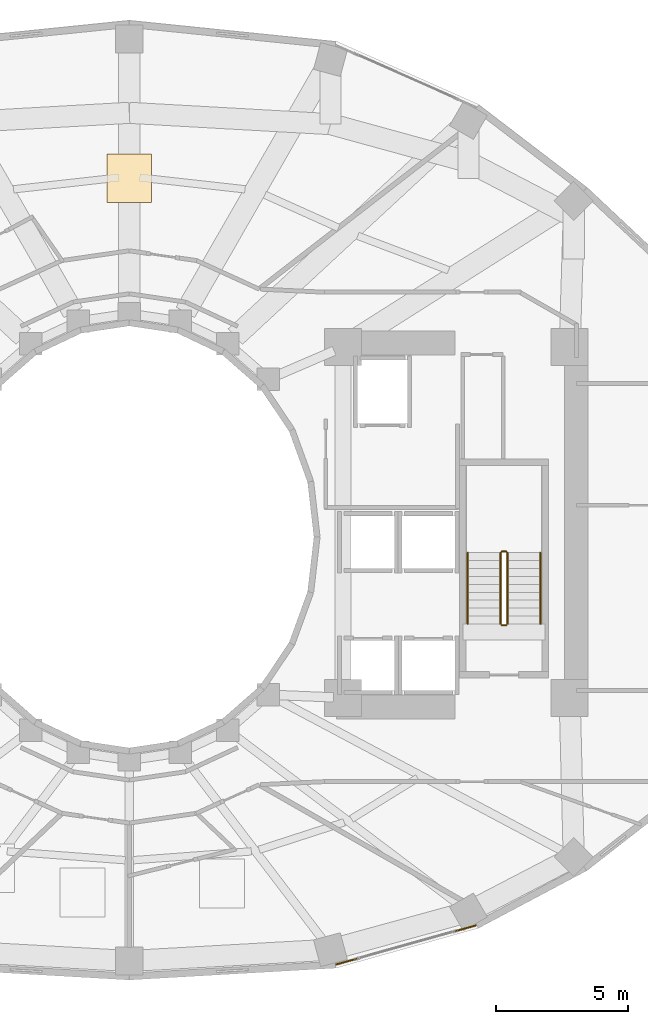
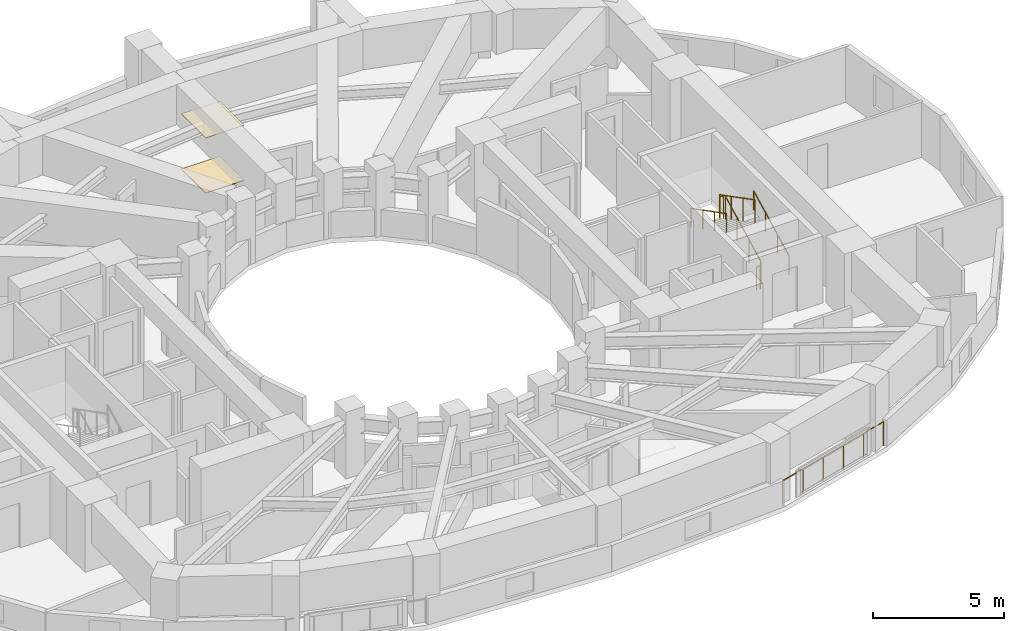
# One storey, part 15 of 16: 7 railings, 2 coverings.
"""IFC4 building model written with IfcOpenShell, lengths in metres."""

from ifc_helpers import new_model, si_unit, direction, frame, origin, origin_2d, place, context, subcontext, project, spatial, polyline, circle, outline, extrude, material, layer, layer_set, type_object, element, save


model = new_model("IFC4")

# Units and contexts
model_context = context("Model", 3, precision=1e-05, world=origin(), true_north=direction((0.0, 1.0)))
body_context = subcontext(model_context, "Body", "Model", "MODEL_VIEW")
ifc_project = project(units=[si_unit("LENGTHUNIT", "METRE"), si_unit("AREAUNIT", "SQUARE_METRE"), si_unit("VOLUMEUNIT", "CUBIC_METRE"), si_unit("PLANEANGLEUNIT", "RADIAN"), si_unit("MASSUNIT", "GRAM", prefix="KILO")], contexts=[model_context])

# Site, building, storey
site_placement = place(None, origin())
site = spatial("IfcSite", under=ifc_project, at=site_placement, CompositionType="ELEMENT")
building_placement = place(site_placement, origin())
building = spatial("IfcBuilding", under=site, at=building_placement, Name="Solvane Sanctuary Tower", CompositionType="ELEMENT")
storey_placement = place(building_placement, frame((0.0, 0.0, 82.5)))
storey = spatial("IfcBuildingStorey", under=building, at=storey_placement, Name="L24", CompositionType="ELEMENT", Elevation=82.5)

# Coverings
ifc_material_1 = material(Name="Acoustic Gypsum Partition Board")
ifc_layer_1 = layer(ifc_material_1, 0.02490234375, Name="Acoustic Gypsum Partition Board")
ifc_layer_set_1 = layer_set([ifc_layer_1], Name="Acoustic Gypsum Partition Board")
covering_type_1 = type_object("IfcCoveringType", Name="Covering CLG-ACOUST", PredefinedType="CEILING", material=ifc_layer_set_1)
covering_1_placement = place(storey_placement, frame((0.0, 0.0, 2.570068359375)))
element("IfcCovering", 1, at=covering_1_placement, inside=storey, type_object=covering_type_1, Name="L24 Unit Acoustic Ceiling Panel 1", PredefinedType="CEILING", context=body_context, shape_type="SweptSolid", body=[
    extrude(outline(polyline([(31.14990234375, 35.675048828125), (32.85009765625, 35.675048828125), (32.85009765625, 37.52490234375), (31.14990234375, 37.52490234375), (31.14990234375, 35.675048828125)])), origin(), (0.0, 0.0, 1.0), 0.030029296875),
])
ifc_material_2 = material(Name="Ceramic Tile Finish")
ifc_layer_2 = layer(ifc_material_2, 0.030029296875, Name="Ceramic Tile Finish")
ifc_layer_set_2 = layer_set([ifc_layer_2], Name="Ceramic Tile Finish")
covering_type_2 = type_object("IfcCoveringType", Name="Covering FLR-TERRAZZO", PredefinedType="FLOORING", material=ifc_layer_set_2)
covering_2_placement = place(storey_placement, origin())
element("IfcCovering", 2, at=covering_2_placement, inside=storey, type_object=covering_type_2, Name="L24 Unit Terrazzo Inlay 1", PredefinedType="FLOORING", context=body_context, shape_type="SweptSolid", body=[
    extrude(outline(polyline([(31.14990234375, 35.675048828125), (32.85009765625, 35.675048828125), (32.85009765625, 37.52490234375), (31.14990234375, 37.52490234375), (31.14990234375, 35.675048828125)])), origin(), (0.0, 0.0, 1.0), 0.034912109375),
])

# Railings
ifc_material_3 = material(Name="Architectural Stainless Steel 316", Category="steel")
railing_type_1 = type_object("IfcRailingType", Name="Railing GR-BALC-1150", PredefinedType="BALUSTRADE", material=ifc_material_3)
railing_1_placement = place(storey_placement, frame((39.84521484375, 6.78662109375, 0.0)))
element("IfcRailing", 3, at=railing_1_placement, inside=storey, type_object=railing_type_1, Name="L24 Curtain-Wall Perimeter Sill Guard 19", PredefinedType="BALUSTRADE", context=body_context, shape_type="SweptSolid", body=[
    extrude(circle(Radius=0.02392578125, at=origin_2d()), frame((0.0, 0.0, 1.1259765625), z_axis=(0.96295710783, 0.269654609601, 0.0), x_axis=(-0.269654609601, 0.96295710783, 0.0)), (0.0, 0.0, 1.0), 5.5029296875),
    extrude(circle(Radius=0.02099609375, at=origin_2d()), origin(), (0.0, 0.0, 1.0), 1.101806640625),
    extrude(circle(Radius=0.02099609375, at=origin_2d()), frame((1.059814453125, 0.296875, 0.0)), (0.0, 0.0, 1.0), 1.101806640625),
    extrude(circle(Radius=0.02099609375, at=origin_2d()), frame((2.11962890625, 0.593505859375, 0.0)), (0.0, 0.0, 1.0), 1.101806640625),
    extrude(circle(Radius=0.02099609375, at=origin_2d()), frame((3.179443359375, 0.890380859375, 0.0)), (0.0, 0.0, 1.0), 1.101806640625),
    extrude(circle(Radius=0.02099609375, at=origin_2d()), frame((4.2392578125, 1.18701171875, 0.0)), (0.0, 0.0, 1.0), 1.101806640625),
    extrude(circle(Radius=0.02099609375, at=origin_2d()), frame((5.299072265625, 1.48388671875, 0.0)), (0.0, 0.0, 1.0), 1.101806640625),
])
railing_2_placement = place(storey_placement, frame((46.340087890625, 19.699951171875, 0.155029296875)))
element("IfcRailing", 4, at=railing_2_placement, inside=storey, type_object=railing_type_1, Name="L24 ST-2 stair guard 1", PredefinedType="BALUSTRADE", context=body_context, shape_type="SweptSolid", body=[
    extrude(circle(Radius=0.02392578125, at=origin_2d()), frame((0.0, 0.0, 1.076171875), z_axis=(0.0, 0.888419900624, 0.459031676658), x_axis=(-1.0, 0.0, 0.0)), (0.0, 0.0, 1.0), 3.0390625),
    extrude(circle(Radius=0.02099609375, at=origin_2d()), origin(), (0.0, 0.0, 1.0), 1.052001953125),
    extrude(circle(Radius=0.02099609375, at=origin_2d()), frame((0.0, 0.89990234375, 0.465087890625)), (0.0, 0.0, 1.0), 1.052001953125),
    extrude(circle(Radius=0.02099609375, at=origin_2d()), frame((0.0, 1.800048828125, 0.929931640625)), (0.0, 0.0, 1.0), 1.052001953125),
    extrude(circle(Radius=0.02099609375, at=origin_2d()), frame((0.0, 2.699951171875, 1.39501953125)), (0.0, 0.0, 1.0), 1.052001953125),
])
railing_3_placement = place(storey_placement, frame((46.2900390625, 22.449951171875, 1.550048828125)))
element("IfcRailing", 5, at=railing_3_placement, inside=storey, type_object=railing_type_1, Name="L24 ST-2 stair guard 2", PredefinedType="BALUSTRADE", context=body_context, shape_type="SweptSolid", body=[
    extrude(circle(Radius=0.02392578125, at=origin_2d()), frame((0.0, 0.0, 1.076171875), z_axis=(-1.0, 0.0, 0.0), x_axis=(0.0, -1.0, 0.0)), (0.0, 0.0, 1.0), 0.16015625),
    extrude(circle(Radius=0.02099609375, at=origin_2d()), origin(), (0.0, 0.0, 1.0), 1.052001953125),
    extrude(circle(Radius=0.02099609375, at=origin_2d()), frame((-0.16015625, 0.0, 0.0)), (0.0, 0.0, 1.0), 1.052001953125),
])
railing_4_placement = place(storey_placement, frame((46.080078125, 22.39990234375, 1.705078125)))
element("IfcRailing", 6, at=railing_4_placement, inside=storey, type_object=railing_type_1, Name="L24 ST-2 stair guard 3", PredefinedType="BALUSTRADE", context=body_context, shape_type="SweptSolid", body=[
    extrude(circle(Radius=0.02392578125, at=origin_2d()), frame((0.0, 0.0, 1.076171875), z_axis=(0.0, -0.888419900624, 0.459031676658), x_axis=(1.0, 0.0, 0.0)), (0.0, 0.0, 1.0), 3.0390625),
    extrude(circle(Radius=0.02099609375, at=origin_2d()), origin(), (0.0, 0.0, 1.0), 1.052001953125),
    extrude(circle(Radius=0.02099609375, at=origin_2d()), frame((0.0, -0.89990234375, 0.465087890625)), (0.0, 0.0, 1.0), 1.052001953125),
    extrude(circle(Radius=0.02099609375, at=origin_2d()), frame((0.0, -1.800048828125, 0.929931640625)), (0.0, 0.0, 1.0), 1.052001953125),
    extrude(circle(Radius=0.02099609375, at=origin_2d()), frame((0.0, -2.699951171875, 1.39501953125)), (0.0, 0.0, 1.0), 1.052001953125),
])
railing_5_placement = place(storey_placement, frame((46.2900390625, 19.64990234375, 0.0)))
element("IfcRailing", 7, at=railing_5_placement, inside=storey, type_object=railing_type_1, Name="L24 ST-2 stair guard 4", PredefinedType="BALUSTRADE", context=body_context, shape_type="SweptSolid", body=[
    extrude(circle(Radius=0.02392578125, at=origin_2d()), frame((0.0, 0.0, 1.076171875), z_axis=(-1.0, 0.0, 0.0), x_axis=(0.0, -1.0, 0.0)), (0.0, 0.0, 1.0), 0.16015625),
    extrude(circle(Radius=0.02099609375, at=origin_2d()), origin(), (0.0, 0.0, 1.0), 1.052001953125),
    extrude(circle(Radius=0.02099609375, at=origin_2d()), frame((-0.16015625, 0.0, 0.0)), (0.0, 0.0, 1.0), 1.052001953125),
])
railing_type_2 = type_object("IfcRailingType", Name="Railing HR-STAIR-920", PredefinedType="HANDRAIL", material=ifc_material_3)
railing_6_placement = place(storey_placement, frame((47.590087890625, 19.699951171875, 0.155029296875)))
element("IfcRailing", 8, at=railing_6_placement, inside=storey, type_object=railing_type_2, Name="L24 ST-2 stair handrail 1", PredefinedType="HANDRAIL", context=body_context, shape_type="SweptSolid", body=[
    extrude(circle(Radius=0.02392578125, at=origin_2d()), frame((0.0, 0.0, 0.8759765625), z_axis=(0.0, 0.888419900624, 0.459031676658), x_axis=(-1.0, 0.0, 0.0)), (0.0, 0.0, 1.0), 3.0390625),
    extrude(circle(Radius=0.02099609375, at=origin_2d()), origin(), (0.0, 0.0, 1.0), 0.851806640625),
    extrude(circle(Radius=0.02099609375, at=origin_2d()), frame((0.0, 0.89990234375, 0.465087890625)), (0.0, 0.0, 1.0), 0.851806640625),
    extrude(circle(Radius=0.02099609375, at=origin_2d()), frame((0.0, 1.800048828125, 0.929931640625)), (0.0, 0.0, 1.0), 0.851806640625),
    extrude(circle(Radius=0.02099609375, at=origin_2d()), frame((0.0, 2.699951171875, 1.39501953125)), (0.0, 0.0, 1.0), 0.851806640625),
])
railing_7_placement = place(storey_placement, frame((44.830078125, 22.39990234375, 1.705078125)))
element("IfcRailing", 9, at=railing_7_placement, inside=storey, type_object=railing_type_2, Name="L24 ST-2 stair handrail 2", PredefinedType="HANDRAIL", context=body_context, shape_type="SweptSolid", body=[
    extrude(circle(Radius=0.02392578125, at=origin_2d()), frame((0.0, 0.0, 0.8759765625), z_axis=(0.0, -0.888419900624, 0.459031676658), x_axis=(1.0, 0.0, 0.0)), (0.0, 0.0, 1.0), 3.0390625),
    extrude(circle(Radius=0.02099609375, at=origin_2d()), origin(), (0.0, 0.0, 1.0), 0.851806640625),
    extrude(circle(Radius=0.02099609375, at=origin_2d()), frame((0.0, -0.89990234375, 0.465087890625)), (0.0, 0.0, 1.0), 0.851806640625),
    extrude(circle(Radius=0.02099609375, at=origin_2d()), frame((0.0, -1.800048828125, 0.929931640625)), (0.0, 0.0, 1.0), 0.851806640625),
    extrude(circle(Radius=0.02099609375, at=origin_2d()), frame((0.0, -2.699951171875, 1.39501953125)), (0.0, 0.0, 1.0), 0.851806640625),
])

save(model, "model.ifc")
